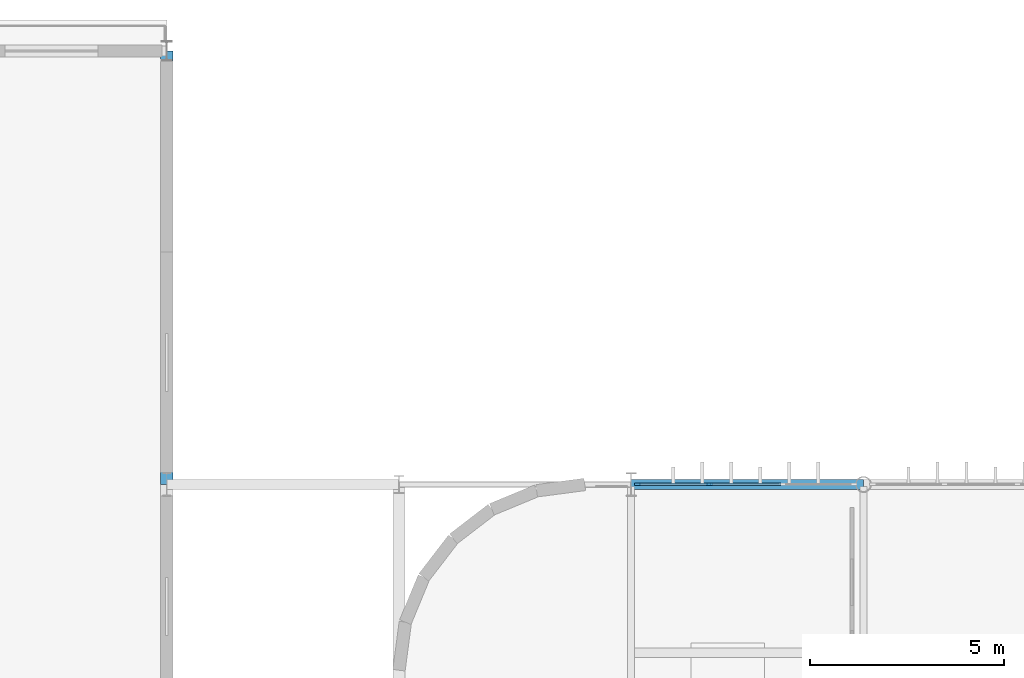
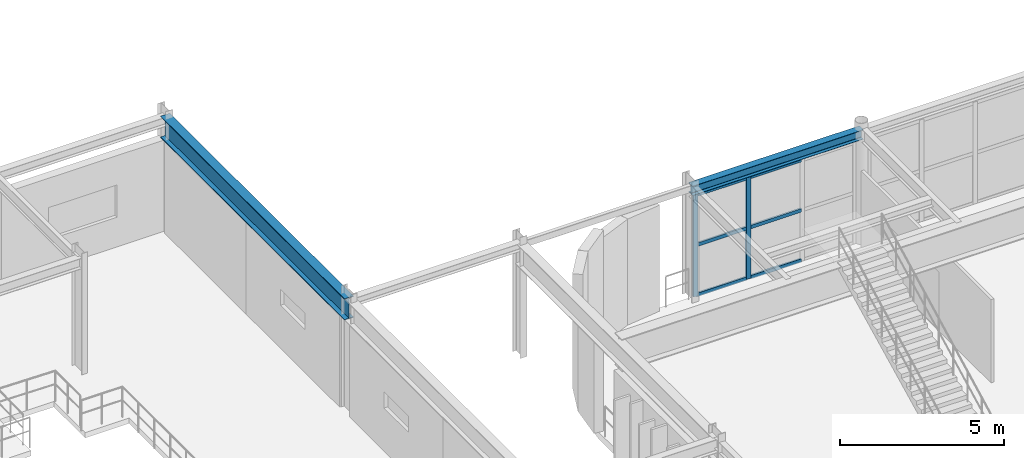
# One storey, part 37 of 84: 8 members, 2 beams, 1 element without a shape of its own.
"""IFC4 building model written with IfcOpenShell, lengths in metres."""

import ifcopenshell
import ifcopenshell.guid

model = None  # the IFC model being written
_history = None  # IfcOwnerHistory: only IFC2X3 demands one
_inside = {}  # id of a spatial element -> (the spatial element, [elements in it])
_under = {}  # id of a project, library or spatial element -> (it, [spatial elements below it])
_declared = {}  # id of a project -> (the project, [libraries it declares])
_typed = {}  # id of a type object -> (the type object, [elements of that type])
_made_of = {}  # id of a material, layer set ... -> (it, [elements and type objects made of it])


def new_model(schema):
    """Start an empty IFC model of exactly this schema.

    Asked for "IFC4X3", IfcOpenShell would pick the latest addendum, in which some entities
    have other attributes; the version numbers below select the first issue.
    IFC2X3 requires an IfcOwnerHistory on every rooted entity: one is made here for all.
    """
    global model, _history
    if schema == "IFC4X3":
        model = ifcopenshell.file(schema_version=(4, 3, 0, 0))
    else:
        model = ifcopenshell.file(schema=schema)
    _inside.clear()
    _under.clear()
    _declared.clear()
    _typed.clear()
    _made_of.clear()
    _history = None
    if model.schema == "IFC2X3":
        org = make("IfcOrganization", Name="unknown")
        user = make(
            "IfcPersonAndOrganization",
            ThePerson=make("IfcPerson", FamilyName="unknown"),
            TheOrganization=org,
        )
        app = make(
            "IfcApplication",
            ApplicationDeveloper=org,
            Version="unknown",
            ApplicationFullName="unknown",
            ApplicationIdentifier="unknown",
        )
        _history = make(
            "IfcOwnerHistory",
            OwningUser=user,
            OwningApplication=app,
            ChangeAction="ADDED",
            CreationDate=0,
        )
    return model


def make(cls, **values):
    """One entity of the class cls with the attributes given. An attribute that is None is left unset."""
    return model.create_entity(
        cls, **{name: value for name, value in values.items() if value is not None}
    )


def rooted(cls, **values):
    """An entity with a GlobalId (a new one), such as an element, a storey or a relation."""
    return make(cls, GlobalId=ifcopenshell.guid.new(), OwnerHistory=_history, **values)


def si_unit(unit_type, name, prefix=None):
    """IfcSIUnit, for example si_unit("LENGTHUNIT", "METRE", prefix="MILLI")."""
    return make("IfcSIUnit", UnitType=unit_type, Prefix=prefix, Name=name)


def assignment(units):
    """IfcUnitAssignment: the units of a project."""
    return None if units is None else make("IfcUnitAssignment", Units=units)


def point(xyz):
    """IfcCartesianPoint."""
    return None if xyz is None else make("IfcCartesianPoint", Coordinates=xyz)


def direction(xyz):
    """IfcDirection."""
    return None if xyz is None else make("IfcDirection", DirectionRatios=xyz)


def frame(location, z_axis=None, x_axis=None):
    """IfcAxis2Placement3D, a coordinate frame: its origin and axes. An axis left out is left unset."""
    return make(
        "IfcAxis2Placement3D",
        Location=point(location),
        Axis=direction(z_axis),
        RefDirection=direction(x_axis),
    )


def frame_2d(location, x_axis=None):
    """IfcAxis2Placement2D, a coordinate frame in the plane: its origin and x axis."""
    return make(
        "IfcAxis2Placement2D", Location=point(location), RefDirection=direction(x_axis)
    )


def origin():
    """The frame at (0, 0, 0) with its axes left unset."""
    return frame((0.0, 0.0, 0.0))


def origin_2d():
    """The frame at (0, 0) in the plane with its x axis left unset."""
    return frame_2d((0.0, 0.0))


def place(relative_to, where):
    """IfcLocalPlacement: puts the frame where relative to a parent placement (None: the world)."""
    return make(
        "IfcLocalPlacement", PlacementRelTo=relative_to, RelativePlacement=where
    )


def context(
    kind, dimensions, precision=None, world=None, true_north=None, identifier=None
):
    """IfcGeometricRepresentationContext, for example the 3D "Model" context."""
    return make(
        "IfcGeometricRepresentationContext",
        ContextIdentifier=identifier,
        ContextType=kind,
        CoordinateSpaceDimension=dimensions,
        Precision=precision,
        WorldCoordinateSystem=world,
        TrueNorth=true_north,
    )


def subcontext(parent, identifier, kind, view, scale=None):
    """IfcGeometricRepresentationSubContext, for example "Body" below "Model"."""
    return make(
        "IfcGeometricRepresentationSubContext",
        ContextIdentifier=identifier,
        ContextType=kind,
        ParentContext=parent,
        TargetScale=scale,
        TargetView=view,
    )


def project(units=None, contexts=None):
    """IfcProject with its units and contexts."""
    return rooted(
        "IfcProject",
        Name="project",
        RepresentationContexts=contexts,
        UnitsInContext=assignment(units),
    )


def spatial(cls, under=None, at=None, **own):
    """A site, building, storey or space (cls), placed at a placement, below another one or the project."""
    s = rooted(cls, ObjectPlacement=at, **own)
    if under is not None:
        _under.setdefault(under.id(), (under, []))[1].append(s)
    return s


def profile(cls, at=None, kind="AREA", **sizes):
    """A parametric profile (cls). Its sizes go by their IFC names, for example OverallWidth=200.0."""
    return make(cls, ProfileType=kind, Position=at, **sizes)


def rectangle(**sizes):
    """IfcRectangleProfileDef."""
    return profile("IfcRectangleProfileDef", **sizes)


def i_section(**sizes):
    """IfcIShapeProfileDef."""
    return profile("IfcIShapeProfileDef", **sizes)


def extrude(swept, where, along, depth):
    """IfcExtrudedAreaSolid: the profile swept, set in the frame where, extruded along a direction by depth."""
    return make(
        "IfcExtrudedAreaSolid",
        SweptArea=swept,
        Position=where,
        ExtrudedDirection=direction(along),
        Depth=depth,
    )


def shape(context_of_items, identifier, shape_type, items):
    """IfcShapeRepresentation: the items that make up one representation, for example the "Body"."""
    return make(
        "IfcShapeRepresentation",
        ContextOfItems=context_of_items,
        RepresentationIdentifier=identifier,
        RepresentationType=shape_type,
        Items=items,
    )


def material(Name=None, Category=None):
    """IfcMaterial."""
    return make("IfcMaterial", Name=Name, Category=Category)


def material_profile(
    of_material, cross_section, Name=None, Category=None, Priority=None
):
    """IfcMaterialProfile: a cross section and its material."""
    return make(
        "IfcMaterialProfile",
        Name=Name,
        Material=of_material,
        Profile=cross_section,
        Priority=Priority,
        Category=Category,
    )


def profile_set(profiles, Name=None, composite=None):
    """IfcMaterialProfileSet."""
    return make(
        "IfcMaterialProfileSet",
        Name=Name,
        MaterialProfiles=profiles,
        CompositeProfile=composite,
    )


def made_of(thing, what):
    """Note that an element or type object is made of a material, layer set ...; save() writes the relation."""
    if what is not None:
        _made_of.setdefault(what.id(), (what, []))[1].append(thing)
    return thing


def type_object(cls, material=None, **own):
    """A type object (cls), such as IfcWallType, which elements share."""
    return made_of(rooted(cls, **own), material)


def element(
    cls,
    number,
    at=None,
    inside=None,
    cuts=None,
    type_object=None,
    material=None,
    context=None,
    identifier="Body",
    shape_type=None,
    held_by="IfcProductDefinitionShape",
    body=None,
    shapes=None,
    **own,
):
    """One element of the class cls, such as IfcWall. Its Tag is "e" and its number.

    at: its placement. inside: the storey or other place that contains it. cuts: it is an
    opening in that element (IfcRelVoidsElement). A single representation is given by context,
    identifier, shape_type and body (its items); several are given by shapes. held_by: the class
    of the entity that holds the representations. save() writes the other relations.
    """
    e = rooted(cls, Tag="e%d" % number, ObjectPlacement=at, **own)
    if body is not None:
        shapes = [shape(context, identifier, shape_type, body)]
    if shapes is not None:
        e.Representation = make(held_by, Representations=shapes)
    if inside is not None:
        _inside.setdefault(inside.id(), (inside, []))[1].append(e)
    if cuts is not None:
        rooted(
            "IfcRelVoidsElement", RelatingBuildingElement=cuts, RelatedOpeningElement=e
        )
    if type_object is not None:
        _typed.setdefault(type_object.id(), (type_object, []))[1].append(e)
    return made_of(e, material)


def aggregate(whole, parts):
    """IfcRelAggregates: a whole, such as a stair, and the parts it consists of."""
    return rooted("IfcRelAggregates", RelatingObject=whole, RelatedObjects=parts)


def save(model, path):
    """Write the relations noted so far, then the file.

    IfcRelAggregates (storeys below a building ...), IfcRelContainedInSpatialStructure (elements
    in a storey), IfcRelDefinesByType, IfcRelAssociatesMaterial and IfcRelDeclares: one each for
    every whole, place, type object, material and project.
    """
    for whole, parts in _under.values():
        aggregate(whole, parts)
    for where, things in _inside.values():
        rooted(
            "IfcRelContainedInSpatialStructure",
            RelatedElements=things,
            RelatingStructure=where,
        )
    for kind, things in _typed.values():
        rooted("IfcRelDefinesByType", RelatedObjects=things, RelatingType=kind)
    for what, things in _made_of.values():
        rooted("IfcRelAssociatesMaterial", RelatedObjects=things, RelatingMaterial=what)
    for by, libraries in _declared.values():
        rooted("IfcRelDeclares", RelatingContext=by, RelatedDefinitions=libraries)
    model.write(path)


model = new_model("IFC4")

# Units and contexts
model_context = context("Model", 3, precision=1e-05, world=origin(), true_north=direction((0.0, 1.0)))
body_context = subcontext(model_context, "Body", "Model", "MODEL_VIEW")
ifc_project = project(units=[si_unit("LENGTHUNIT", "METRE"), si_unit("AREAUNIT", "SQUARE_METRE"), si_unit("VOLUMEUNIT", "CUBIC_METRE"), si_unit("PLANEANGLEUNIT", "RADIAN"), si_unit("MASSUNIT", "GRAM", prefix="KILO")], contexts=[model_context])

# Site, building, storey
site_placement = place(None, origin())
site = spatial("IfcSite", under=ifc_project, at=site_placement, CompositionType="ELEMENT")
building_placement = place(site_placement, origin())
building = spatial("IfcBuilding", under=site, at=building_placement, Name="Varnakota Square Police Headquarters", CompositionType="ELEMENT")
storey_placement = place(building_placement, frame((0.0, 0.0, 13.5)))
storey = spatial("IfcBuildingStorey", under=building, at=storey_placement, Name="L03", CompositionType="ELEMENT", Elevation=13.5)

# Beams
ifc_material_1 = material(Name="Steel IS 2062 Grade 350", Category="steel")
ifc_material_profile_1 = material_profile(ifc_material_1, i_section(OverallWidth=0.320068359375, OverallDepth=0.800048828125, WebThickness=0.01611328125, FlangeThickness=0.028076171875, at=origin_2d()), Name="BPG 800x320")
ifc_profile_set_1 = profile_set([ifc_material_profile_1], Name="Steel IS 2062 Grade 350")
beam_type_1 = type_object("IfcBeamType", Name="BM-BPG800", PredefinedType="BEAM", material=ifc_profile_set_1)
beam_1_placement = place(storey_placement, frame((54.0, 99.0, 3.800048828125), z_axis=(0.0, 1.0, 0.0), x_axis=(-1.0, 0.0, 0.0)))
element("IfcBeam", 1, at=beam_1_placement, inside=storey, type_object=beam_type_1, Name="BMG-L03-2669", PredefinedType="BEAM", context=body_context, shape_type="SweptSolid", body=[
    extrude(i_section(OverallWidth=0.320068359375, OverallDepth=0.800048828125, WebThickness=0.01611328125, FlangeThickness=0.028076171875, at=origin_2d()), origin(), (0.0, 0.0, 1.0), 11.199951171875),
])
ifc_material_profile_2 = material_profile(ifc_material_1, i_section(OverallWidth=0.25, OverallDepth=0.35009765625, WebThickness=0.010009765625, FlangeThickness=0.01171875, FilletRadius=0.011962890625, at=origin_2d()), Name="ISHB 350")
ifc_profile_set_2 = profile_set([ifc_material_profile_2], Name="Steel IS 2062 Grade 350")
beam_type_2 = type_object("IfcBeamType", Name="BM-ISHB350", PredefinedType="BEAM", material=ifc_profile_set_2)
beam_2_placement = place(storey_placement, frame((66.0, 99.0, 4.02490234375), z_axis=(1.0, 0.0, 0.0), x_axis=(0.0, 1.0, 0.0)))
element("IfcBeam", 2, at=beam_2_placement, inside=storey, type_object=beam_type_2, Name="BMG-L03-2560", PredefinedType="BEAM", context=body_context, shape_type="SweptSolid", body=[
    extrude(i_section(OverallWidth=0.25, OverallDepth=0.35009765625, WebThickness=0.010009765625, FlangeThickness=0.01171875, FilletRadius=0.011962890625, at=origin_2d()), origin(), (0.0, 0.0, 1.0), 6.0),
])

# Curtain wall, members
ifc_material_2 = material(Name="Anodised Aluminium Framing", Category="aluminium")
curtain_wall_type = type_object("IfcCurtainWallType", Name="CW-SYS-C", PredefinedType="NOTDEFINED", material=ifc_material_2)
curtain_wall_placement = place(storey_placement, origin())
curtain_wall = element("IfcCurtainWall", 3, at=curtain_wall_placement, inside=storey, type_object=curtain_wall_type, Name="Unitised curtain wall CWG-L03-250", PredefinedType="NOTDEFINED")
ifc_material_3 = material(Name="Anodised Aluminium 6063-T6", Category="aluminium")
ifc_material_profile_3 = material_profile(ifc_material_3, rectangle(XDim=0.06494140625, YDim=0.159912109375, at=origin_2d()), Name="ALU MULLION 65x160")
ifc_profile_set_3 = profile_set([ifc_material_profile_3], Name="Anodised Aluminium 6063-T6")
member_type_1 = type_object("IfcMemberType", Name="CWM-150", PredefinedType="MULLION", material=ifc_profile_set_3)
member_1_placement = place(storey_placement, frame((66.16259765625, 99.0, 0.0), z_axis=(0.0, 0.0, 1.0), x_axis=(0.0, 1.0, 0.0)))
member_1 = element("IfcMember", 4, at=member_1_placement, type_object=member_type_1, Name="CWG-L03-250 mullion 1", PredefinedType="MULLION", context=body_context, shape_type="SweptSolid", body=[
    extrude(rectangle(XDim=0.06494140625, YDim=0.159912109375, at=origin_2d()), origin(), (0.0, 0.0, 1.0), 3.7900390625),
])
member_2_placement = place(storey_placement, frame((68.017333984375, 99.0, 0.0), z_axis=(0.0, 0.0, 1.0), x_axis=(0.0, 1.0, 0.0)))
member_2 = element("IfcMember", 5, at=member_2_placement, type_object=member_type_1, Name="CWG-L03-250 mullion 2", PredefinedType="MULLION", context=body_context, shape_type="SweptSolid", body=[
    extrude(rectangle(XDim=0.06494140625, YDim=0.159912109375, at=origin_2d()), origin(), (0.0, 0.0, 1.0), 3.7900390625),
])
ifc_material_profile_4 = material_profile(ifc_material_3, rectangle(XDim=0.06494140625, YDim=0.1298828125, at=origin_2d()), Name="ALU TRANSOM 65x130")
ifc_profile_set_4 = profile_set([ifc_material_profile_4], Name="Anodised Aluminium 6063-T6")
member_type_2 = type_object("IfcMemberType", Name="CWT-120", PredefinedType="USERDEFINED", material=ifc_profile_set_4)
member_3_placement = place(storey_placement, frame((66.195068359375, 99.0, 0.032470703125), z_axis=(1.0, 0.0, 0.0), x_axis=(0.0, 1.0, 0.0)))
member_3 = element("IfcMember", 6, at=member_3_placement, type_object=member_type_2, Name="CWG-L03-250 transom 1.1", ObjectType="TRANSOM", PredefinedType="USERDEFINED", context=body_context, shape_type="SweptSolid", body=[
    extrude(rectangle(XDim=0.06494140625, YDim=0.1298828125, at=origin_2d()), origin(), (0.0, 0.0, 1.0), 1.789794921875),
])
member_4_placement = place(storey_placement, frame((66.195068359375, 99.0, 1.89501953125), z_axis=(1.0, 0.0, 0.0), x_axis=(0.0, 1.0, 0.0)))
member_4 = element("IfcMember", 7, at=member_4_placement, type_object=member_type_2, Name="CWG-L03-250 transom 1.2", ObjectType="TRANSOM", PredefinedType="USERDEFINED", context=body_context, shape_type="SweptSolid", body=[
    extrude(rectangle(XDim=0.06494140625, YDim=0.1298828125, at=origin_2d()), origin(), (0.0, 0.0, 1.0), 1.789794921875),
])
member_5_placement = place(storey_placement, frame((66.195068359375, 99.0, 3.757568359375), z_axis=(1.0, 0.0, 0.0), x_axis=(0.0, 1.0, 0.0)))
member_5 = element("IfcMember", 8, at=member_5_placement, type_object=member_type_2, Name="CWG-L03-250 transom 1.3", ObjectType="TRANSOM", PredefinedType="USERDEFINED", context=body_context, shape_type="SweptSolid", body=[
    extrude(rectangle(XDim=0.06494140625, YDim=0.1298828125, at=origin_2d()), origin(), (0.0, 0.0, 1.0), 1.789794921875),
])
member_6_placement = place(storey_placement, frame((68.0498046875, 99.0, 0.032470703125), z_axis=(1.0, 0.0, 0.0), x_axis=(0.0, 1.0, 0.0)))
member_6 = element("IfcMember", 9, at=member_6_placement, type_object=member_type_2, Name="CWG-L03-250 transom 2.1", ObjectType="TRANSOM", PredefinedType="USERDEFINED", context=body_context, shape_type="SweptSolid", body=[
    extrude(rectangle(XDim=0.06494140625, YDim=0.1298828125, at=origin_2d()), origin(), (0.0, 0.0, 1.0), 1.822265625),
])
member_7_placement = place(storey_placement, frame((68.0498046875, 99.0, 1.89501953125), z_axis=(1.0, 0.0, 0.0), x_axis=(0.0, 1.0, 0.0)))
member_7 = element("IfcMember", 10, at=member_7_placement, type_object=member_type_2, Name="CWG-L03-250 transom 2.2", ObjectType="TRANSOM", PredefinedType="USERDEFINED", context=body_context, shape_type="SweptSolid", body=[
    extrude(rectangle(XDim=0.06494140625, YDim=0.1298828125, at=origin_2d()), origin(), (0.0, 0.0, 1.0), 1.822265625),
])
member_8_placement = place(storey_placement, frame((68.0498046875, 99.0, 3.757568359375), z_axis=(1.0, 0.0, 0.0), x_axis=(0.0, 1.0, 0.0)))
member_8 = element("IfcMember", 11, at=member_8_placement, type_object=member_type_2, Name="CWG-L03-250 transom 2.3", ObjectType="TRANSOM", PredefinedType="USERDEFINED", context=body_context, shape_type="SweptSolid", body=[
    extrude(rectangle(XDim=0.06494140625, YDim=0.1298828125, at=origin_2d()), origin(), (0.0, 0.0, 1.0), 1.822265625),
])
aggregate(curtain_wall, [member_1, member_2, member_3, member_4, member_5, member_6, member_7, member_8])

save(model, "model.ifc")
